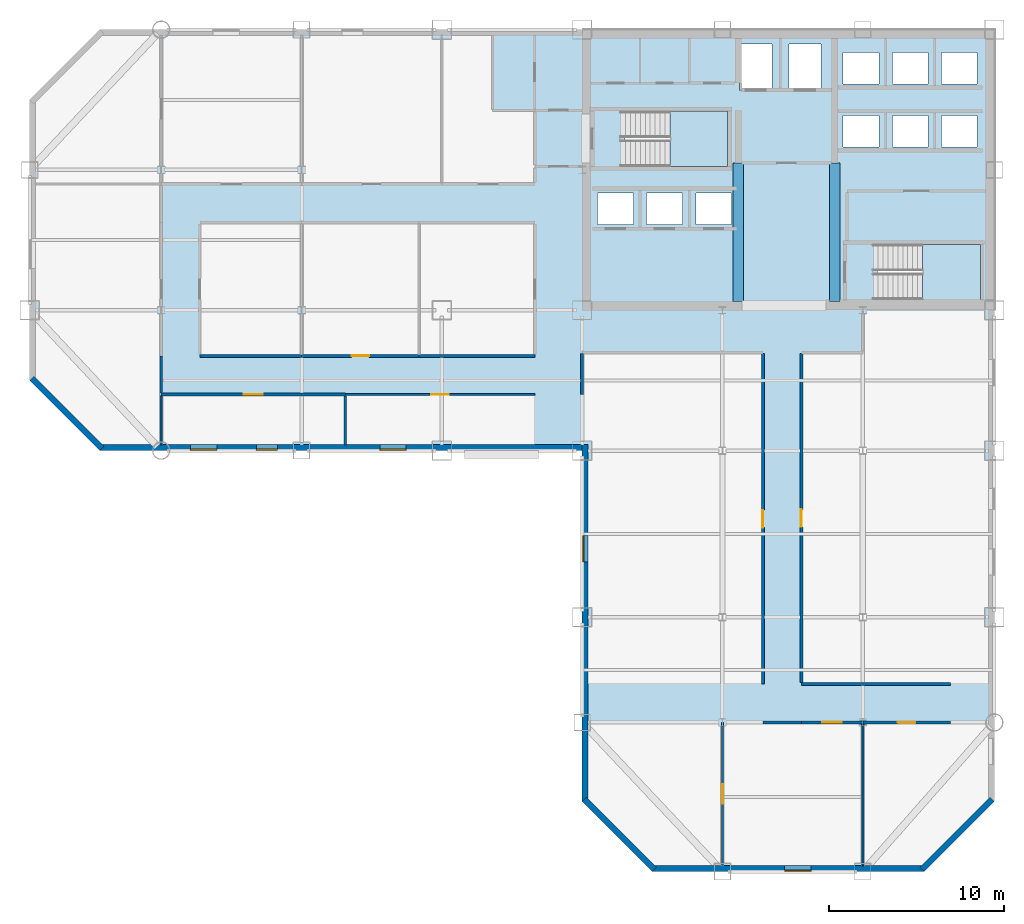
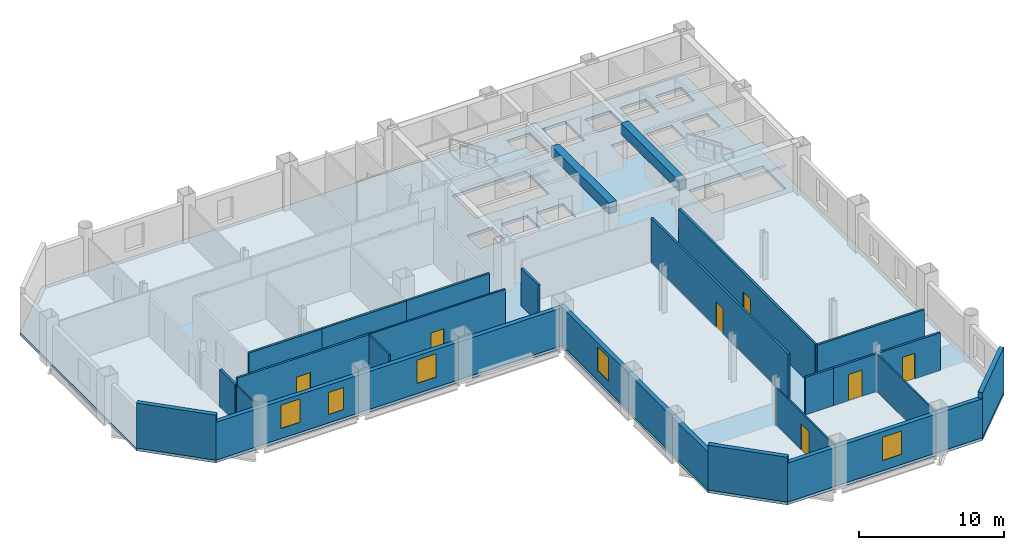
# One storey, part 5 of 10: 23 walls, 8 doors, 5 windows, 3 slabs, 2 beams, 13 openings, 2 elements without a shape of their own.
"""IFC4 building model written with IfcOpenShell, lengths in metres."""

import ifcopenshell
import ifcopenshell.guid

model = None  # the IFC model being written
_history = None  # IfcOwnerHistory: only IFC2X3 demands one
_inside = {}  # id of a spatial element -> (the spatial element, [elements in it])
_under = {}  # id of a project, library or spatial element -> (it, [spatial elements below it])
_declared = {}  # id of a project -> (the project, [libraries it declares])
_typed = {}  # id of a type object -> (the type object, [elements of that type])
_made_of = {}  # id of a material, layer set ... -> (it, [elements and type objects made of it])


def new_model(schema):
    """Start an empty IFC model of exactly this schema.

    Asked for "IFC4X3", IfcOpenShell would pick the latest addendum, in which some entities
    have other attributes; the version numbers below select the first issue.
    IFC2X3 requires an IfcOwnerHistory on every rooted entity: one is made here for all.
    """
    global model, _history
    if schema == "IFC4X3":
        model = ifcopenshell.file(schema_version=(4, 3, 0, 0))
    else:
        model = ifcopenshell.file(schema=schema)
    _inside.clear()
    _under.clear()
    _declared.clear()
    _typed.clear()
    _made_of.clear()
    _history = None
    if model.schema == "IFC2X3":
        org = make("IfcOrganization", Name="unknown")
        user = make(
            "IfcPersonAndOrganization",
            ThePerson=make("IfcPerson", FamilyName="unknown"),
            TheOrganization=org,
        )
        app = make(
            "IfcApplication",
            ApplicationDeveloper=org,
            Version="unknown",
            ApplicationFullName="unknown",
            ApplicationIdentifier="unknown",
        )
        _history = make(
            "IfcOwnerHistory",
            OwningUser=user,
            OwningApplication=app,
            ChangeAction="ADDED",
            CreationDate=0,
        )
    return model


def make(cls, **values):
    """One entity of the class cls with the attributes given. An attribute that is None is left unset."""
    return model.create_entity(
        cls, **{name: value for name, value in values.items() if value is not None}
    )


def rooted(cls, **values):
    """An entity with a GlobalId (a new one), such as an element, a storey or a relation."""
    return make(cls, GlobalId=ifcopenshell.guid.new(), OwnerHistory=_history, **values)


def si_unit(unit_type, name, prefix=None):
    """IfcSIUnit, for example si_unit("LENGTHUNIT", "METRE", prefix="MILLI")."""
    return make("IfcSIUnit", UnitType=unit_type, Prefix=prefix, Name=name)


def assignment(units):
    """IfcUnitAssignment: the units of a project."""
    return None if units is None else make("IfcUnitAssignment", Units=units)


def point(xyz):
    """IfcCartesianPoint."""
    return None if xyz is None else make("IfcCartesianPoint", Coordinates=xyz)


def direction(xyz):
    """IfcDirection."""
    return None if xyz is None else make("IfcDirection", DirectionRatios=xyz)


def frame(location, z_axis=None, x_axis=None):
    """IfcAxis2Placement3D, a coordinate frame: its origin and axes. An axis left out is left unset."""
    return make(
        "IfcAxis2Placement3D",
        Location=point(location),
        Axis=direction(z_axis),
        RefDirection=direction(x_axis),
    )


def frame_2d(location, x_axis=None):
    """IfcAxis2Placement2D, a coordinate frame in the plane: its origin and x axis."""
    return make(
        "IfcAxis2Placement2D", Location=point(location), RefDirection=direction(x_axis)
    )


def origin():
    """The frame at (0, 0, 0) with its axes left unset."""
    return frame((0.0, 0.0, 0.0))


def origin_2d():
    """The frame at (0, 0) in the plane with its x axis left unset."""
    return frame_2d((0.0, 0.0))


def place(relative_to, where):
    """IfcLocalPlacement: puts the frame where relative to a parent placement (None: the world)."""
    return make(
        "IfcLocalPlacement", PlacementRelTo=relative_to, RelativePlacement=where
    )


def context(
    kind, dimensions, precision=None, world=None, true_north=None, identifier=None
):
    """IfcGeometricRepresentationContext, for example the 3D "Model" context."""
    return make(
        "IfcGeometricRepresentationContext",
        ContextIdentifier=identifier,
        ContextType=kind,
        CoordinateSpaceDimension=dimensions,
        Precision=precision,
        WorldCoordinateSystem=world,
        TrueNorth=true_north,
    )


def subcontext(parent, identifier, kind, view, scale=None):
    """IfcGeometricRepresentationSubContext, for example "Body" below "Model"."""
    return make(
        "IfcGeometricRepresentationSubContext",
        ContextIdentifier=identifier,
        ContextType=kind,
        ParentContext=parent,
        TargetScale=scale,
        TargetView=view,
    )


def project(units=None, contexts=None):
    """IfcProject with its units and contexts."""
    return rooted(
        "IfcProject",
        Name="project",
        RepresentationContexts=contexts,
        UnitsInContext=assignment(units),
    )


def spatial(cls, under=None, at=None, **own):
    """A site, building, storey or space (cls), placed at a placement, below another one or the project."""
    s = rooted(cls, ObjectPlacement=at, **own)
    if under is not None:
        _under.setdefault(under.id(), (under, []))[1].append(s)
    return s


def polyline(points):
    """IfcPolyline through the points."""
    return make("IfcPolyline", Points=[point(p) for p in points])


def profile(cls, at=None, kind="AREA", **sizes):
    """A parametric profile (cls). Its sizes go by their IFC names, for example OverallWidth=200.0."""
    return make(cls, ProfileType=kind, Position=at, **sizes)


def rectangle(**sizes):
    """IfcRectangleProfileDef."""
    return profile("IfcRectangleProfileDef", **sizes)


def outline(outer, holes=None, kind="AREA"):
    """IfcArbitraryClosedProfileDef: a profile drawn as a closed curve; with holes, ...WithVoids."""
    if holes is None:
        return make("IfcArbitraryClosedProfileDef", ProfileType=kind, OuterCurve=outer)
    return make(
        "IfcArbitraryProfileDefWithVoids",
        ProfileType=kind,
        OuterCurve=outer,
        InnerCurves=holes,
    )


def extrude(swept, where, along, depth):
    """IfcExtrudedAreaSolid: the profile swept, set in the frame where, extruded along a direction by depth."""
    return make(
        "IfcExtrudedAreaSolid",
        SweptArea=swept,
        Position=where,
        ExtrudedDirection=direction(along),
        Depth=depth,
    )


def shape(context_of_items, identifier, shape_type, items):
    """IfcShapeRepresentation: the items that make up one representation, for example the "Body"."""
    return make(
        "IfcShapeRepresentation",
        ContextOfItems=context_of_items,
        RepresentationIdentifier=identifier,
        RepresentationType=shape_type,
        Items=items,
    )


def material(Name=None, Category=None):
    """IfcMaterial."""
    return make("IfcMaterial", Name=Name, Category=Category)


def layer(
    of_material, thickness, ventilated=None, Name=None, Category=None, Priority=None
):
    """IfcMaterialLayer: one layer of a wall or slab, of a material (None: an air gap)."""
    return make(
        "IfcMaterialLayer",
        Material=of_material,
        LayerThickness=thickness,
        IsVentilated=ventilated,
        Name=Name,
        Category=Category,
        Priority=Priority,
    )


def layer_set(layers, Name=None):
    """IfcMaterialLayerSet."""
    return make("IfcMaterialLayerSet", MaterialLayers=layers, LayerSetName=Name)


def material_profile(
    of_material, cross_section, Name=None, Category=None, Priority=None
):
    """IfcMaterialProfile: a cross section and its material."""
    return make(
        "IfcMaterialProfile",
        Name=Name,
        Material=of_material,
        Profile=cross_section,
        Priority=Priority,
        Category=Category,
    )


def profile_set(profiles, Name=None, composite=None):
    """IfcMaterialProfileSet."""
    return make(
        "IfcMaterialProfileSet",
        Name=Name,
        MaterialProfiles=profiles,
        CompositeProfile=composite,
    )


def made_of(thing, what):
    """Note that an element or type object is made of a material, layer set ...; save() writes the relation."""
    if what is not None:
        _made_of.setdefault(what.id(), (what, []))[1].append(thing)
    return thing


def type_object(cls, material=None, **own):
    """A type object (cls), such as IfcWallType, which elements share."""
    return made_of(rooted(cls, **own), material)


def element(
    cls,
    number,
    at=None,
    inside=None,
    cuts=None,
    type_object=None,
    material=None,
    context=None,
    identifier="Body",
    shape_type=None,
    held_by="IfcProductDefinitionShape",
    body=None,
    shapes=None,
    **own,
):
    """One element of the class cls, such as IfcWall. Its Tag is "e" and its number.

    at: its placement. inside: the storey or other place that contains it. cuts: it is an
    opening in that element (IfcRelVoidsElement). A single representation is given by context,
    identifier, shape_type and body (its items); several are given by shapes. held_by: the class
    of the entity that holds the representations. save() writes the other relations.
    """
    e = rooted(cls, Tag="e%d" % number, ObjectPlacement=at, **own)
    if body is not None:
        shapes = [shape(context, identifier, shape_type, body)]
    if shapes is not None:
        e.Representation = make(held_by, Representations=shapes)
    if inside is not None:
        _inside.setdefault(inside.id(), (inside, []))[1].append(e)
    if cuts is not None:
        rooted(
            "IfcRelVoidsElement", RelatingBuildingElement=cuts, RelatedOpeningElement=e
        )
    if type_object is not None:
        _typed.setdefault(type_object.id(), (type_object, []))[1].append(e)
    return made_of(e, material)


def fill(opening, filler):
    """IfcRelFillsElement: the door or window that sits in an opening."""
    return rooted(
        "IfcRelFillsElement",
        RelatingOpeningElement=opening,
        RelatedBuildingElement=filler,
    )


def aggregate(whole, parts):
    """IfcRelAggregates: a whole, such as a stair, and the parts it consists of."""
    return rooted("IfcRelAggregates", RelatingObject=whole, RelatedObjects=parts)


def save(model, path):
    """Write the relations noted so far, then the file.

    IfcRelAggregates (storeys below a building ...), IfcRelContainedInSpatialStructure (elements
    in a storey), IfcRelDefinesByType, IfcRelAssociatesMaterial and IfcRelDeclares: one each for
    every whole, place, type object, material and project.
    """
    for whole, parts in _under.values():
        aggregate(whole, parts)
    for where, things in _inside.values():
        rooted(
            "IfcRelContainedInSpatialStructure",
            RelatedElements=things,
            RelatingStructure=where,
        )
    for kind, things in _typed.values():
        rooted("IfcRelDefinesByType", RelatedObjects=things, RelatingType=kind)
    for what, things in _made_of.values():
        rooted("IfcRelAssociatesMaterial", RelatedObjects=things, RelatingMaterial=what)
    for by, libraries in _declared.values():
        rooted("IfcRelDeclares", RelatingContext=by, RelatedDefinitions=libraries)
    model.write(path)


model = new_model("IFC4")

# Units and contexts
model_context = context("Model", 3, precision=1e-05, world=origin(), true_north=direction((0.0, 1.0)))
body_context = subcontext(model_context, "Body", "Model", "MODEL_VIEW")
ifc_project = project(units=[si_unit("LENGTHUNIT", "METRE"), si_unit("AREAUNIT", "SQUARE_METRE"), si_unit("VOLUMEUNIT", "CUBIC_METRE"), si_unit("PLANEANGLEUNIT", "RADIAN"), si_unit("MASSUNIT", "GRAM", prefix="KILO")], contexts=[model_context])

# Site, building, storey
site_placement = place(None, origin())
site = spatial("IfcSite", under=ifc_project, at=site_placement, CompositionType="ELEMENT")
building_placement = place(site_placement, origin())
building = spatial("IfcBuilding", under=site, at=building_placement, Name="Qianrong Seaharbour Tower", CompositionType="ELEMENT")
storey_placement = place(building_placement, frame((0.0, 0.0, 139.0)))
storey = spatial("IfcBuildingStorey", under=building, at=storey_placement, Name="L33", CompositionType="ELEMENT", Elevation=139.0)

# Beams
ifc_material_1 = material(Name="Concrete C70/85", Category="concrete")
ifc_material_profile = material_profile(ifc_material_1, rectangle(XDim=0.60009765625, YDim=0.89990234375, at=origin_2d()), Name="RC600x900")
ifc_profile_set = profile_set([ifc_material_profile], Name="Concrete C70/85")
beam_type = type_object("IfcBeamType", Name="BM-LINTEL-900", PredefinedType="LINTEL", material=ifc_profile_set)
for number, where, z_axis, x_axis, name in (
    (1, (49.39990234375, 36.5, 3.31494140625), (0.0, 1.0, 0.0), (-1.0, 0.0, 0.0), "L33 Internal Core Coupling Beam IW1"),
    (2, (54.89990234375, 36.5, 3.31494140625), (0.0, 1.0, 0.0), (-1.0, 0.0, 0.0), "L33 Internal Core Coupling Beam IW2"),
):
    element("IfcBeam", number, at=place(storey_placement, frame(where, z_axis=z_axis, x_axis=x_axis)), inside=storey, type_object=beam_type, Name=name, PredefinedType="LINTEL", context=body_context, shape_type="SweptSolid", body=[
        extrude(rectangle(XDim=0.60009765625, YDim=0.89990234375, at=origin_2d()), origin(), (0.0, 0.0, 1.0), 7.89990234375),
    ])

# Stair, slab
ifc_material_2 = material(Name="Concrete C50/60", Category="concrete")
stair_type = type_object("IfcStairType", Name="STAIR-DOGLEG-1500-R22", PredefinedType="HALF_TURN_STAIR", material=ifc_material_2)
stair_1_placement = place(storey_placement, origin())
stair_1 = element("IfcStair", 3, at=stair_1_placement, inside=storey, type_object=stair_type, Name="L33 Protected Escape Stair ST-1", PredefinedType="HALF_TURN_STAIR")
ifc_layer_1 = layer(ifc_material_2, 0.199951171875)
ifc_layer_set_1 = layer_set([ifc_layer_1], Name="Concrete C50/60")
slab_type_1 = type_object("IfcSlabType", Name="SLAB-STAIR-LANDING-200", PredefinedType="LANDING", material=ifc_layer_set_1)
slab_1_placement = place(storey_placement, frame((0.0, 0.0, 1.800048828125)))
slab_1 = element("IfcSlab", 4, at=slab_1_placement, type_object=slab_type_1, Name="ST-1 landing 1", PredefinedType="LANDING", context=body_context, shape_type="SweptSolid", body=[
    extrude(outline(polyline([(45.5, 44.199951171875), (48.800048828125, 44.199951171875), (48.800048828125, 47.35009765625), (45.5, 47.35009765625), (45.5, 44.199951171875)])), origin(), (0.0, 0.0, 1.0), 0.199951171875),
])
aggregate(stair_1, [slab_1])

stair_2_placement = place(storey_placement, origin())
stair_2 = element("IfcStair", 5, at=stair_2_placement, inside=storey, type_object=stair_type, Name="L33 Protected Escape Stair ST-2", PredefinedType="HALF_TURN_STAIR")
slab_2_placement = place(storey_placement, frame((0.0, 0.0, 1.800048828125)))
slab_2 = element("IfcSlab", 6, at=slab_2_placement, type_object=slab_type_1, Name="ST-2 landing 1", PredefinedType="LANDING", context=body_context, shape_type="SweptSolid", body=[
    extrude(outline(polyline([(59.89990234375, 36.60009765625), (63.199951171875, 36.60009765625), (63.199951171875, 39.75), (59.89990234375, 39.75), (59.89990234375, 36.60009765625)])), origin(), (0.0, 0.0, 1.0), 0.199951171875),
])
aggregate(stair_2, [slab_2])

# Slab
ifc_layer_2 = layer(ifc_material_2, 0.235107421875)
ifc_layer_set_2 = layer_set([ifc_layer_2], Name="Concrete C50/60")
slab_type_2 = type_object("IfcSlabType", Name="SLAB-Z2-235", PredefinedType="FLOOR", material=ifc_layer_set_2)
slab_3_placement = place(storey_placement, frame((0.0, 0.0, -0.235107421875)))
element("IfcSlab", 7, at=slab_3_placement, inside=storey, type_object=slab_type_2, Name="L33 Structural Floor Slab", PredefinedType="FLOOR", context=body_context, shape_type="SweptSolid", body=[
    extrude(outline(polyline([(44.5, 4.0), (60.0, 4.0), (64.0, 8.0), (64.0, 52.0), (13.0, 52.0), (9.0, 48.0), (9.0, 32.0), (13.0, 28.0), (40.5, 28.0), (40.5, 8.0), (44.5, 4.0)]), holes=[polyline([(42.93994140625, 44.199951171875), (42.93994140625, 47.35009765625), (48.800048828125, 47.35009765625), (48.800048828125, 44.199951171875), (42.93994140625, 44.199951171875)]), polyline([(57.340087890625, 36.60009765625), (57.340087890625, 39.75), (63.199951171875, 39.75), (63.199951171875, 36.60009765625), (57.340087890625, 36.60009765625)]), polyline([(49.47998046875, 48.530029296875), (49.47998046875, 51.169921875), (51.320068359375, 51.169921875), (51.320068359375, 48.530029296875), (49.47998046875, 48.530029296875)]), polyline([(52.280029296875, 48.530029296875), (52.280029296875, 51.169921875), (54.1201171875, 51.169921875), (54.1201171875, 48.530029296875), (52.280029296875, 48.530029296875)]), polyline([(41.3798828125, 40.89990234375), (41.3798828125, 42.699951171875), (43.419921875, 42.699951171875), (43.419921875, 40.89990234375), (41.3798828125, 40.89990234375)]), polyline([(44.179931640625, 40.89990234375), (44.179931640625, 42.699951171875), (46.219970703125, 42.699951171875), (46.219970703125, 40.89990234375), (44.179931640625, 40.89990234375)]), polyline([(46.97998046875, 40.89990234375), (46.97998046875, 42.699951171875), (49.02001953125, 42.699951171875), (49.02001953125, 40.89990234375), (46.97998046875, 40.89990234375)]), polyline([(55.3798828125, 45.300048828125), (55.3798828125, 47.10009765625), (57.419921875, 47.10009765625), (57.419921875, 45.300048828125), (55.3798828125, 45.300048828125)]), polyline([(58.179931640625, 45.300048828125), (58.179931640625, 47.10009765625), (60.219970703125, 47.10009765625), (60.219970703125, 45.300048828125), (58.179931640625, 45.300048828125)]), polyline([(60.97998046875, 45.300048828125), (60.97998046875, 47.10009765625), (63.02001953125, 47.10009765625), (63.02001953125, 45.300048828125), (60.97998046875, 45.300048828125)]), polyline([(55.3798828125, 48.89990234375), (55.3798828125, 50.699951171875), (57.419921875, 50.699951171875), (57.419921875, 48.89990234375), (55.3798828125, 48.89990234375)]), polyline([(58.179931640625, 48.89990234375), (58.179931640625, 50.699951171875), (60.219970703125, 50.699951171875), (60.219970703125, 48.89990234375), (58.179931640625, 48.89990234375)]), polyline([(60.97998046875, 48.89990234375), (60.97998046875, 50.699951171875), (63.02001953125, 50.699951171875), (63.02001953125, 48.89990234375), (60.97998046875, 48.89990234375)])]), origin(), (0.0, 0.0, 1.0), 0.235107421875),
])

# Wall
ifc_material_3 = material(Name="Fire-rated acoustic gypsum board partition")
ifc_layer_3 = layer(ifc_material_3, 0.1650390625)
ifc_layer_set_3 = layer_set([ifc_layer_3], Name="Fire-rated acoustic gypsum board partition")
wall_type_1 = type_object("IfcWallType", Name="WALL-CORR-PART-165", PredefinedType="PARTITIONING", material=ifc_layer_set_3)
wall_1_placement = place(storey_placement, frame((18.699951171875, 33.39990234375, 0.0), z_axis=(0.0, 0.0, 1.0), x_axis=(1.0, 0.0, 0.0)))
element("IfcWall", 8, at=wall_1_placement, inside=storey, type_object=wall_type_1, Name="L33 Interior Partition Wall 015", PredefinedType="PARTITIONING", context=body_context, shape_type="SweptSolid", body=[
    extrude(rectangle(XDim=5.800048828125, YDim=0.1650390625, at=frame_2d((2.89990234375, 0.0))), origin(), (0.0, 0.0, 1.0), 3.764892578125),
])

# Wall, opening, door
wall_2_placement = place(storey_placement, frame((24.5, 33.39990234375, 0.0), z_axis=(0.0, 0.0, 1.0), x_axis=(1.0, 0.0, 0.0)))
wall_2 = element("IfcWall", 9, at=wall_2_placement, inside=storey, type_object=wall_type_1, Name="L33 Interior Partition Wall 016", PredefinedType="PARTITIONING", context=body_context, shape_type="SweptSolid", body=[
    extrude(rectangle(XDim=6.699951171875, YDim=0.1650390625, at=frame_2d((3.35009765625, 0.0))), origin(), (0.0, 0.0, 1.0), 3.764892578125),
])
opening_1_placement = place(wall_2_placement, frame((2.85009765625, 0.0, 0.0)))
opening_1 = element("IfcOpeningElement", 10, at=opening_1_placement, cuts=wall_2, Name="Opening DO-01", PredefinedType="OPENING", context=body_context, shape_type="SweptSolid", body=[
    extrude(rectangle(XDim=1.0, YDim=2.14990234375, at=frame_2d((0.5, 1.074951171875))), frame((0.0, 0.092529296875, 0.0), z_axis=(0.0, -1.0, 0.0), x_axis=(1.0, 0.0, 0.0)), (0.0, 0.0, 1.0), 0.18505859375),
])
ifc_material_4 = material(Name="Acoustic timber and galvanized steel fire door assembly", Category="steel")
door_type_1 = type_object("IfcDoorType", Name="DOOR-OFFICE-1000x2150", OperationType="NOTDEFINED", PredefinedType="DOOR", material=ifc_material_4)
door_1_placement = place(opening_1_placement, origin())
door_1 = element("IfcDoor", 11, at=door_1_placement, inside=storey, type_object=door_type_1, Name="L33 Project Library 2 Door", OperationType="SINGLE_SWING_RIGHT", OverallHeight=2.14990234375, OverallWidth=1.0, PredefinedType="DOOR", context=body_context, shape_type="SweptSolid", body=[
    extrude(rectangle(XDim=1.0, YDim=2.14990234375, at=frame_2d((0.5, 1.074951171875))), frame((0.0, 0.02490234375, 0.0), z_axis=(0.0, -1.0, 0.0), x_axis=(1.0, 0.0, 0.0)), (0.0, 0.0, 1.0), 0.050048828125),
])
fill(opening_1, door_1)

# Walls
wall_3_placement = place(storey_placement, frame((31.199951171875, 33.39990234375, 0.0), z_axis=(0.0, 0.0, 1.0), x_axis=(1.0, 0.0, 0.0)))
element("IfcWall", 12, at=wall_3_placement, inside=storey, type_object=wall_type_1, Name="L33 Interior Partition Wall 017", PredefinedType="PARTITIONING", context=body_context, shape_type="SweptSolid", body=[
    extrude(rectangle(XDim=6.60009765625, YDim=0.1650390625, at=frame_2d((3.300048828125, 0.0))), origin(), (0.0, 0.0, 1.0), 3.764892578125),
])
wall_4_placement = place(storey_placement, frame((16.5, 31.2744140625, 0.0), z_axis=(0.0, 0.0, 1.0), x_axis=(0.0, 1.0, 0.0)))
element("IfcWall", 13, at=wall_4_placement, inside=storey, type_object=wall_type_1, Name="L33 Interior Partition Wall 018", PredefinedType="PARTITIONING", context=body_context, shape_type="SweptSolid", body=[
    extrude(rectangle(XDim=2.12548828125, YDim=0.1650390625, at=frame_2d((1.062744140625, 0.0))), origin(), (0.0, 0.0, 1.0), 3.156982421875),
])

# Wall, opening, door
wall_5_placement = place(storey_placement, frame((27.0, 31.199951171875, 0.0), z_axis=(0.0, 0.0, 1.0), x_axis=(-1.0, 0.0, 0.0)))
wall_5 = element("IfcWall", 14, at=wall_5_placement, inside=storey, type_object=wall_type_1, Name="L33 Interior Partition Wall 019", PredefinedType="PARTITIONING", context=body_context, shape_type="SweptSolid", body=[
    extrude(rectangle(XDim=10.5, YDim=0.1650390625, at=frame_2d((5.25, 0.0))), origin(), (0.0, 0.0, 1.0), 3.764892578125),
])
opening_2_placement = place(wall_5_placement, frame((4.699951171875, 0.0, 0.0)))
opening_2 = element("IfcOpeningElement", 15, at=opening_2_placement, cuts=wall_5, Name="Opening DM-01", PredefinedType="OPENING", context=body_context, shape_type="SweptSolid", body=[
    extrude(rectangle(XDim=1.10009765625, YDim=2.199951171875, at=frame_2d((0.550048828125, 1.10009765625))), frame((0.0, 0.092529296875, 0.0), z_axis=(0.0, -1.0, 0.0), x_axis=(1.0, 0.0, 0.0)), (0.0, 0.0, 1.0), 0.18505859375),
])
door_type_2 = type_object("IfcDoorType", Name="DOOR-MEET-1100x2200", OperationType="NOTDEFINED", PredefinedType="DOOR", material=ifc_material_4)
door_2_placement = place(opening_2_placement, origin())
door_2 = element("IfcDoor", 16, at=door_2_placement, inside=storey, type_object=door_type_2, Name="L33 Meeting Room 1 Door", OperationType="SINGLE_SWING_LEFT", OverallHeight=2.199951171875, OverallWidth=1.10009765625, PredefinedType="DOOR", context=body_context, shape_type="SweptSolid", body=[
    extrude(rectangle(XDim=1.10009765625, YDim=2.199951171875, at=frame_2d((0.550048828125, 1.10009765625))), frame((0.0, 0.02490234375, 0.0), z_axis=(0.0, -1.0, 0.0), x_axis=(1.0, 0.0, 0.0)), (0.0, 0.0, 1.0), 0.050048828125),
])
fill(opening_2, door_2)

# Wall
wall_6_placement = place(storey_placement, frame((40.5, 33.525390625, 0.0), z_axis=(0.0, 0.0, 1.0), x_axis=(0.0, -1.0, 0.0)))
element("IfcWall", 17, at=wall_6_placement, inside=storey, type_object=wall_type_1, Name="L33 Interior Partition Wall 030", PredefinedType="PARTITIONING", context=body_context, shape_type="SweptSolid", body=[
    extrude(rectangle(XDim=2.325439453125, YDim=0.1650390625, at=frame_2d((1.16259765625, 0.0))), origin(), (0.0, 0.0, 1.0), 3.156982421875),
])

# Wall, opening, door
wall_7_placement = place(storey_placement, frame((53.0, 33.525390625, 0.0), z_axis=(0.0, 0.0, 1.0), x_axis=(0.0, -1.0, 0.0)))
wall_7 = element("IfcWall", 18, at=wall_7_placement, inside=storey, type_object=wall_type_1, Name="L33 Interior Partition Wall 036", PredefinedType="PARTITIONING", context=body_context, shape_type="SweptSolid", body=[
    extrude(rectangle(XDim=18.7509765625, YDim=0.1650390625, at=frame_2d((9.37548828125, 0.0))), origin(), (0.0, 0.0, 1.0), 3.764892578125),
])
opening_3_placement = place(wall_7_placement, frame((8.87548828125, 0.0, 0.0)))
opening_3 = element("IfcOpeningElement", 19, at=opening_3_placement, cuts=wall_7, Name="Opening DO-01", PredefinedType="OPENING", context=body_context, shape_type="SweptSolid", body=[
    extrude(rectangle(XDim=1.0, YDim=2.14990234375, at=frame_2d((0.5, 1.074951171875))), frame((0.0, 0.092529296875, 0.0), z_axis=(0.0, -1.0, 0.0), x_axis=(1.0, 0.0, 0.0)), (0.0, 0.0, 1.0), 0.18505859375),
])
door_3_placement = place(opening_3_placement, origin())
door_3 = element("IfcDoor", 20, at=door_3_placement, inside=storey, type_object=door_type_1, Name="L33 South Wing Open-Plan Office Door", OperationType="SINGLE_SWING_LEFT", OverallHeight=2.14990234375, OverallWidth=1.0, PredefinedType="DOOR", context=body_context, shape_type="SweptSolid", body=[
    extrude(rectangle(XDim=1.0, YDim=2.14990234375, at=frame_2d((0.5, 1.074951171875))), frame((0.0, 0.02490234375, 0.0), z_axis=(0.0, -1.0, 0.0), x_axis=(1.0, 0.0, 0.0)), (0.0, 0.0, 1.0), 0.050048828125),
])
fill(opening_3, door_3)

wall_8_placement = place(storey_placement, frame((50.800048828125, 14.699951171875, 0.0), z_axis=(0.0, 0.0, 1.0), x_axis=(0.0, 1.0, 0.0)))
wall_8 = element("IfcWall", 21, at=wall_8_placement, inside=storey, type_object=wall_type_1, Name="L33 Interior Partition Wall 037", PredefinedType="PARTITIONING", context=body_context, shape_type="SweptSolid", body=[
    extrude(rectangle(XDim=18.825439453125, YDim=0.1650390625, at=frame_2d((9.41259765625, 0.0))), origin(), (0.0, 0.0, 1.0), 3.764892578125),
])
opening_4_placement = place(wall_8_placement, frame((8.912841796875, 0.0, 0.0)))
opening_4 = element("IfcOpeningElement", 22, at=opening_4_placement, cuts=wall_8, Name="Opening DO-01", PredefinedType="OPENING", context=body_context, shape_type="SweptSolid", body=[
    extrude(rectangle(XDim=1.0, YDim=2.14990234375, at=frame_2d((0.5, 1.074951171875))), frame((0.0, 0.092529296875, 0.0), z_axis=(0.0, -1.0, 0.0), x_axis=(1.0, 0.0, 0.0)), (0.0, 0.0, 1.0), 0.18505859375),
])
door_4_placement = place(opening_4_placement, origin())
door_4 = element("IfcDoor", 23, at=door_4_placement, inside=storey, type_object=door_type_1, Name="L33 West Spine Open-Plan Office Door", OperationType="SINGLE_SWING_RIGHT", OverallHeight=2.14990234375, OverallWidth=1.0, PredefinedType="DOOR", context=body_context, shape_type="SweptSolid", body=[
    extrude(rectangle(XDim=1.0, YDim=2.14990234375, at=frame_2d((0.5, 1.074951171875))), frame((0.0, 0.02490234375, 0.0), z_axis=(0.0, -1.0, 0.0), x_axis=(1.0, 0.0, 0.0)), (0.0, 0.0, 1.0), 0.050048828125),
])
fill(opening_4, door_4)

# Walls
wall_9_placement = place(storey_placement, frame((53.0, 12.5, 0.0), z_axis=(0.0, 0.0, 1.0), x_axis=(-1.0, 0.0, 0.0)))
element("IfcWall", 24, at=wall_9_placement, inside=storey, type_object=wall_type_1, Name="L33 Interior Partition Wall 038", PredefinedType="PARTITIONING", context=body_context, shape_type="SweptSolid", body=[
    extrude(rectangle(XDim=2.199951171875, YDim=0.1650390625, at=frame_2d((1.10009765625, 0.0))), origin(), (0.0, 0.0, 1.0), 3.156982421875),
])
wall_10_placement = place(storey_placement, frame((53.0, 14.699951171875, 0.0), z_axis=(0.0, 0.0, 1.0), x_axis=(1.0, 0.0, 0.0)))
element("IfcWall", 25, at=wall_10_placement, inside=storey, type_object=wall_type_1, Name="L33 Interior Partition Wall 039", PredefinedType="PARTITIONING", context=body_context, shape_type="SweptSolid", body=[
    extrude(rectangle(XDim=8.5, YDim=0.1650390625, at=frame_2d((4.25, 0.0))), origin(), (0.0, 0.0, 1.0), 3.764892578125),
])

# Wall, opening, door
wall_11_placement = place(storey_placement, frame((56.5, 12.5, 0.0), z_axis=(0.0, 0.0, 1.0), x_axis=(-1.0, 0.0, 0.0)))
wall_11 = element("IfcWall", 26, at=wall_11_placement, inside=storey, type_object=wall_type_1, Name="L33 Interior Partition Wall 040", PredefinedType="PARTITIONING", context=body_context, shape_type="SweptSolid", body=[
    extrude(rectangle(XDim=3.5, YDim=0.1650390625, at=frame_2d((1.75, 0.0))), origin(), (0.0, 0.0, 1.0), 3.156982421875),
])
opening_5_placement = place(wall_11_placement, frame((1.199951171875, 0.0, 0.0)))
opening_5 = element("IfcOpeningElement", 27, at=opening_5_placement, cuts=wall_11, Name="Opening DM-01", PredefinedType="OPENING", context=body_context, shape_type="SweptSolid", body=[
    extrude(rectangle(XDim=1.10009765625, YDim=2.199951171875, at=frame_2d((0.550048828125, 1.10009765625))), frame((0.0, 0.092529296875, 0.0), z_axis=(0.0, -1.0, 0.0), x_axis=(1.0, 0.0, 0.0)), (0.0, 0.0, 1.0), 0.18505859375),
])
door_5_placement = place(opening_5_placement, origin())
door_5 = element("IfcDoor", 28, at=door_5_placement, inside=storey, type_object=door_type_2, Name="L33 Meeting Room 2 Door", OperationType="SINGLE_SWING_RIGHT", OverallHeight=2.199951171875, OverallWidth=1.10009765625, PredefinedType="DOOR", context=body_context, shape_type="SweptSolid", body=[
    extrude(rectangle(XDim=1.10009765625, YDim=2.199951171875, at=frame_2d((0.550048828125, 1.10009765625))), frame((0.0, 0.02490234375, 0.0), z_axis=(0.0, -1.0, 0.0), x_axis=(1.0, 0.0, 0.0)), (0.0, 0.0, 1.0), 0.050048828125),
])
fill(opening_5, door_5)

wall_12_placement = place(storey_placement, frame((61.5, 12.5, 0.0), z_axis=(0.0, 0.0, 1.0), x_axis=(-1.0, 0.0, 0.0)))
wall_12 = element("IfcWall", 29, at=wall_12_placement, inside=storey, type_object=wall_type_1, Name="L33 Interior Partition Wall 041", PredefinedType="PARTITIONING", context=body_context, shape_type="SweptSolid", body=[
    extrude(rectangle(XDim=5.0, YDim=0.1650390625, at=frame_2d((2.5, 0.0))), origin(), (0.0, 0.0, 1.0), 3.156982421875),
])
opening_6_placement = place(wall_12_placement, frame((2.0, 0.0, 0.0)))
opening_6 = element("IfcOpeningElement", 30, at=opening_6_placement, cuts=wall_12, Name="Opening DO-01", PredefinedType="OPENING", context=body_context, shape_type="SweptSolid", body=[
    extrude(rectangle(XDim=1.0, YDim=2.14990234375, at=frame_2d((0.5, 1.074951171875))), frame((0.0, 0.092529296875, 0.0), z_axis=(0.0, -1.0, 0.0), x_axis=(1.0, 0.0, 0.0)), (0.0, 0.0, 1.0), 0.18505859375),
])
door_6_placement = place(opening_6_placement, origin())
door_6 = element("IfcDoor", 31, at=door_6_placement, inside=storey, type_object=door_type_1, Name="L33 Standards Library 3 Door", OperationType="SINGLE_SWING_LEFT", OverallHeight=2.14990234375, OverallWidth=1.0, PredefinedType="DOOR", context=body_context, shape_type="SweptSolid", body=[
    extrude(rectangle(XDim=1.0, YDim=2.14990234375, at=frame_2d((0.5, 1.074951171875))), frame((0.0, 0.02490234375, 0.0), z_axis=(0.0, -1.0, 0.0), x_axis=(1.0, 0.0, 0.0)), (0.0, 0.0, 1.0), 0.050048828125),
])
fill(opening_6, door_6)

# Wall
ifc_material_5 = material(Name="Demountable aluminium-framed acoustic office partition", Category="aluminium")
ifc_layer_4 = layer(ifc_material_5, 0.110107421875)
ifc_layer_set_4 = layer_set([ifc_layer_4], Name="Demountable aluminium-framed acoustic office partition")
wall_type_2 = type_object("IfcWallType", Name="WALL-DEMOUNT-110", PredefinedType="MOVABLE", material=ifc_layer_set_4)
wall_13_placement = place(storey_placement, frame((16.5, 31.12548828125, 0.0), z_axis=(0.0, 0.0, 1.0), x_axis=(0.0, -1.0, 0.0)))
element("IfcWall", 32, at=wall_13_placement, inside=storey, type_object=wall_type_2, Name="L33 Interior Partition Wall 048", PredefinedType="MOVABLE", context=body_context, shape_type="SweptSolid", body=[
    extrude(rectangle(XDim=2.79345703125, YDim=0.110107421875, at=frame_2d((1.396728515625, 0.0))), origin(), (0.0, 0.0, 1.0), 3.156982421875),
])

# Wall, opening, door
wall_14_placement = place(storey_placement, frame((48.5, 12.5, 0.0), z_axis=(0.0, 0.0, 1.0), x_axis=(0.0, -1.0, 0.0)))
wall_14 = element("IfcWall", 33, at=wall_14_placement, inside=storey, type_object=wall_type_2, Name="L33 Interior Partition Wall 050", PredefinedType="MOVABLE", context=body_context, shape_type="SweptSolid", body=[
    extrude(rectangle(XDim=8.16796875, YDim=0.110107421875, at=frame_2d((4.083984375, 0.0))), origin(), (0.0, 0.0, 1.0), 3.156982421875),
])
opening_7_placement = place(wall_14_placement, frame((3.533935546875, 0.0, 0.0)))
opening_7 = element("IfcOpeningElement", 34, at=opening_7_placement, cuts=wall_14, Name="Opening DM-01", PredefinedType="OPENING", context=body_context, shape_type="SweptSolid", body=[
    extrude(rectangle(XDim=1.10009765625, YDim=2.199951171875, at=frame_2d((0.550048828125, 1.10009765625))), frame((0.0, 0.06494140625, 0.0), z_axis=(0.0, -1.0, 0.0), x_axis=(1.0, 0.0, 0.0)), (0.0, 0.0, 1.0), 0.130126953125),
])
door_7_placement = place(opening_7_placement, origin())
door_7 = element("IfcDoor", 35, at=door_7_placement, inside=storey, type_object=door_type_2, Name="L33 Maritime Seminar Room 1 Door", OperationType="SINGLE_SWING_LEFT", OverallHeight=2.199951171875, OverallWidth=1.10009765625, PredefinedType="DOOR", context=body_context, shape_type="SweptSolid", body=[
    extrude(rectangle(XDim=1.10009765625, YDim=2.199951171875, at=frame_2d((0.550048828125, 1.10009765625))), frame((0.0, 0.02490234375, 0.0), z_axis=(0.0, -1.0, 0.0), x_axis=(1.0, 0.0, 0.0)), (0.0, 0.0, 1.0), 0.050048828125),
])
fill(opening_7, door_7)

# Wall
wall_15_placement = place(storey_placement, frame((56.5, 12.425537109375, 0.0), z_axis=(0.0, 0.0, 1.0), x_axis=(0.0, -1.0, 0.0)))
element("IfcWall", 36, at=wall_15_placement, inside=storey, type_object=wall_type_2, Name="L33 Interior Partition Wall 051", PredefinedType="MOVABLE", context=body_context, shape_type="SweptSolid", body=[
    extrude(rectangle(XDim=8.093505859375, YDim=0.110107421875, at=frame_2d((4.046875, 0.0))), origin(), (0.0, 0.0, 1.0), 3.156982421875),
])

# Wall, opening, window
ifc_material_6 = material(Name="Unitised buff brick on Precast concrete C45/55", Category="masonry")
ifc_layer_5 = layer(ifc_material_6, 0.340087890625)
ifc_layer_set_5 = layer_set([ifc_layer_5], Name="Unitised buff brick on Precast concrete C45/55")
wall_type_3 = type_object("IfcWallType", Name="WALL-EXT-BRICK-BUFF-340", PredefinedType="SOLIDWALL", material=ifc_layer_set_5)
wall_16_placement = place(storey_placement, frame((40.669921875, 8.0, 0.0), z_axis=(0.0, 0.0, 1.0), x_axis=(0.0, 1.0, 0.0)))
wall_16 = element("IfcWall", 37, at=wall_16_placement, inside=storey, type_object=wall_type_3, Name="L33 Exterior Masonry Facade Wall REENTRANT_WEST", PredefinedType="SOLIDWALL", context=body_context, shape_type="SweptSolid", body=[
    extrude(rectangle(XDim=20.340087890625, YDim=0.340087890625, at=frame_2d((10.169921875, 0.0))), origin(), (0.0, 0.0, 1.0), 3.1650390625),
])
opening_8_placement = place(wall_16_placement, frame((13.64990234375, 0.0, 0.85009765625)))
opening_8 = element("IfcOpeningElement", 38, at=opening_8_placement, cuts=wall_16, Name="Opening WN-03", PredefinedType="OPENING", context=body_context, shape_type="SweptSolid", body=[
    extrude(rectangle(XDim=1.5, YDim=1.949951171875, at=frame_2d((0.75, 0.97509765625))), frame((0.0, 0.18017578125, 0.0), z_axis=(0.0, -1.0, 0.0), x_axis=(1.0, 0.0, 0.0)), (0.0, 0.0, 1.0), 0.360107421875),
])
ifc_material_7 = material(Name="Insulated low-e double glazing in thermally broken aluminium 6063-T6 frame", Category="aluminium")
window_type_1 = type_object("IfcWindowType", Name="WIN-PUNCH-1500x1950", PartitioningType="DOUBLE_PANEL_VERTICAL", PredefinedType="WINDOW", material=ifc_material_7)
window_1_placement = place(opening_8_placement, origin())
window_1 = element("IfcWindow", 39, at=window_1_placement, inside=storey, type_object=window_type_1, Name="L33 Deep-Set Punched Window 00.04", OverallHeight=1.949951171875, OverallWidth=1.5, PartitioningType="DOUBLE_PANEL_VERTICAL", PredefinedType="WINDOW", context=body_context, shape_type="SweptSolid", body=[
    extrude(rectangle(XDim=1.5, YDim=1.949951171875, at=frame_2d((0.75, 0.97509765625))), frame((0.0, 0.150146484375, 0.0), z_axis=(0.0, -1.0, 0.0), x_axis=(1.0, 0.0, 0.0)), (0.0, 0.0, 1.0), 0.06005859375),
])
fill(opening_8, window_1)

# Wall, openings, windows
wall_17_placement = place(storey_placement, frame((40.52001953125, 28.169921875, 0.0), z_axis=(0.0, 0.0, 1.0), x_axis=(-1.0, 0.0, 0.0)))
wall_17 = element("IfcWall", 40, at=wall_17_placement, inside=storey, type_object=wall_type_3, Name="L33 Exterior Masonry Facade Wall HARBOUR_RIBBON", PredefinedType="SOLIDWALL", context=body_context, shape_type="SweptSolid", body=[
    extrude(rectangle(XDim=27.52001953125, YDim=0.340087890625, at=frame_2d((13.760009765625, 0.0))), origin(), (0.0, 0.0, 1.0), 3.1650390625),
])
opening_9_placement = place(wall_17_placement, frame((10.050048828125, 0.0, 0.85009765625)))
opening_9 = element("IfcOpeningElement", 41, at=opening_9_placement, cuts=wall_17, Name="Opening WN-03", PredefinedType="OPENING", context=body_context, shape_type="SweptSolid", body=[
    extrude(rectangle(XDim=1.5, YDim=1.949951171875, at=frame_2d((0.75, 0.97509765625))), frame((0.0, 0.18017578125, 0.0), z_axis=(0.0, -1.0, 0.0), x_axis=(1.0, 0.0, 0.0)), (0.0, 0.0, 1.0), 0.360107421875),
])
opening_10_placement = place(wall_17_placement, frame((17.39990234375, 0.0, 0.699951171875)))
opening_10 = element("IfcOpeningElement", 42, at=opening_10_placement, cuts=wall_17, Name="Opening WN-01", PredefinedType="OPENING", context=body_context, shape_type="SweptSolid", body=[
    extrude(rectangle(XDim=1.199951171875, YDim=1.85009765625, at=frame_2d((0.60009765625, 0.925048828125))), frame((0.0, 0.18017578125, 0.0), z_axis=(0.0, -1.0, 0.0), x_axis=(1.0, 0.0, 0.0)), (0.0, 0.0, 1.0), 0.360107421875),
])
opening_11_placement = place(wall_17_placement, frame((20.85009765625, 0.0, 0.85009765625)))
opening_11 = element("IfcOpeningElement", 43, at=opening_11_placement, cuts=wall_17, Name="Opening WN-03", PredefinedType="OPENING", context=body_context, shape_type="SweptSolid", body=[
    extrude(rectangle(XDim=1.5, YDim=1.949951171875, at=frame_2d((0.75, 0.97509765625))), frame((0.0, 0.18017578125, 0.0), z_axis=(0.0, -1.0, 0.0), x_axis=(1.0, 0.0, 0.0)), (0.0, 0.0, 1.0), 0.360107421875),
])
window_type_2 = type_object("IfcWindowType", Name="WIN-PUNCH-1200x1850", PartitioningType="DOUBLE_PANEL_VERTICAL", PredefinedType="WINDOW", material=ifc_material_7)
window_2_placement = place(opening_10_placement, origin())
window_2 = element("IfcWindow", 44, at=window_2_placement, inside=storey, type_object=window_type_2, Name="L33 Deep-Set Punched Window 01.05", OverallHeight=1.85009765625, OverallWidth=1.199951171875, PartitioningType="DOUBLE_PANEL_VERTICAL", PredefinedType="WINDOW", context=body_context, shape_type="SweptSolid", body=[
    extrude(rectangle(XDim=1.199951171875, YDim=1.85009765625, at=frame_2d((0.60009765625, 0.925048828125))), frame((0.0, 0.150146484375, 0.0), z_axis=(0.0, -1.0, 0.0), x_axis=(1.0, 0.0, 0.0)), (0.0, 0.0, 1.0), 0.06005859375),
])
fill(opening_10, window_2)
window_3_placement = place(opening_9_placement, origin())
window_3 = element("IfcWindow", 45, at=window_3_placement, inside=storey, type_object=window_type_1, Name="L33 Deep-Set Punched Window 01.03", OverallHeight=1.949951171875, OverallWidth=1.5, PartitioningType="DOUBLE_PANEL_VERTICAL", PredefinedType="WINDOW", context=body_context, shape_type="SweptSolid", body=[
    extrude(rectangle(XDim=1.5, YDim=1.949951171875, at=frame_2d((0.75, 0.97509765625))), frame((0.0, 0.150146484375, 0.0), z_axis=(0.0, -1.0, 0.0), x_axis=(1.0, 0.0, 0.0)), (0.0, 0.0, 1.0), 0.06005859375),
])
fill(opening_9, window_3)
window_4_placement = place(opening_11_placement, origin())
window_4 = element("IfcWindow", 46, at=window_4_placement, inside=storey, type_object=window_type_1, Name="L33 Deep-Set Punched Window 01.06", OverallHeight=1.949951171875, OverallWidth=1.5, PartitioningType="DOUBLE_PANEL_VERTICAL", PredefinedType="WINDOW", context=body_context, shape_type="SweptSolid", body=[
    extrude(rectangle(XDim=1.5, YDim=1.949951171875, at=frame_2d((0.75, 0.97509765625))), frame((0.0, 0.150146484375, 0.0), z_axis=(0.0, -1.0, 0.0), x_axis=(1.0, 0.0, 0.0)), (0.0, 0.0, 1.0), 0.06005859375),
])
fill(opening_11, window_4)

# Walls
for number, where, z_axis, x_axis, name in (
    (47, (13.1201171875, 28.1201171875, 0.0), (0.0, 0.0, 1.0), (-0.707106781187, 0.707106781187, 0.0), "L33 Exterior Masonry Facade Wall E02"),
    (48, (63.8798828125, 8.1201171875, 0.0), (0.0, 0.0, 1.0), (-0.707106781187, -0.707106781187, 0.0), "L33 Exterior Masonry Facade Wall E07"),
):
    element("IfcWall", number, at=place(storey_placement, frame(where, z_axis=z_axis, x_axis=x_axis)), inside=storey, type_object=wall_type_3, Name=name, PredefinedType="SOLIDWALL", context=body_context, shape_type="SweptSolid", body=[
        extrude(rectangle(XDim=5.65673828125, YDim=0.340087890625, at=frame_2d((2.828369140625, 0.0))), origin(), (0.0, 0.0, 1.0), 3.764892578125),
    ])

# Wall, opening, window
wall_18_placement = place(storey_placement, frame((60.0, 4.169921875, 0.0), z_axis=(0.0, 0.0, 1.0), x_axis=(-1.0, 0.0, 0.0)))
wall_18 = element("IfcWall", 49, at=wall_18_placement, inside=storey, type_object=wall_type_3, Name="L33 Exterior Masonry Facade Wall SOUTH_TIP", PredefinedType="SOLIDWALL", context=body_context, shape_type="SweptSolid", body=[
    extrude(rectangle(XDim=15.5, YDim=0.340087890625, at=frame_2d((7.75, 0.0))), origin(), (0.0, 0.0, 1.0), 3.264892578125),
])
opening_12_placement = place(wall_18_placement, frame((6.449951171875, 0.0, 0.85009765625)))
opening_12 = element("IfcOpeningElement", 50, at=opening_12_placement, cuts=wall_18, Name="Opening WN-03", PredefinedType="OPENING", context=body_context, shape_type="SweptSolid", body=[
    extrude(rectangle(XDim=1.5, YDim=1.949951171875, at=frame_2d((0.75, 0.97509765625))), frame((0.0, 0.18017578125, 0.0), z_axis=(0.0, -1.0, 0.0), x_axis=(1.0, 0.0, 0.0)), (0.0, 0.0, 1.0), 0.360107421875),
])
window_5_placement = place(opening_12_placement, origin())
window_5 = element("IfcWindow", 51, at=window_5_placement, inside=storey, type_object=window_type_1, Name="L33 Deep-Set Punched Window 08.02", OverallHeight=1.949951171875, OverallWidth=1.5, PartitioningType="DOUBLE_PANEL_VERTICAL", PredefinedType="WINDOW", context=body_context, shape_type="SweptSolid", body=[
    extrude(rectangle(XDim=1.5, YDim=1.949951171875, at=frame_2d((0.75, 0.97509765625))), frame((0.0, 0.150146484375, 0.0), z_axis=(0.0, -1.0, 0.0), x_axis=(1.0, 0.0, 0.0)), (0.0, 0.0, 1.0), 0.06005859375),
])
fill(opening_12, window_5)

# Wall
wall_19_placement = place(storey_placement, frame((44.6201171875, 4.1201171875, 0.0), z_axis=(0.0, 0.0, 1.0), x_axis=(-0.707106781187, 0.707106781187, 0.0)))
element("IfcWall", 52, at=wall_19_placement, inside=storey, type_object=wall_type_3, Name="L33 Exterior Masonry Facade Wall E09", PredefinedType="SOLIDWALL", context=body_context, shape_type="SweptSolid", body=[
    extrude(rectangle(XDim=5.65673828125, YDim=0.340087890625, at=frame_2d((2.828369140625, 0.0))), origin(), (0.0, 0.0, 1.0), 3.764892578125),
])

# Wall, opening, door
ifc_material_8 = material(Name="Water-resistant cement board sanitary partition")
ifc_layer_6 = layer(ifc_material_8, 0.1298828125)
ifc_layer_set_6 = layer_set([ifc_layer_6], Name="Water-resistant cement board sanitary partition")
wall_type_4 = type_object("IfcWallType", Name="WALL-WET-PART-130", PredefinedType="PARTITIONING", material=ifc_layer_set_6)
wall_20_placement = place(storey_placement, frame((37.800048828125, 31.199951171875, 0.0), z_axis=(0.0, 0.0, 1.0), x_axis=(-1.0, 0.0, 0.0)))
wall_20 = element("IfcWall", 53, at=wall_20_placement, inside=storey, type_object=wall_type_4, Name="L33 Interior Partition Wall 020", PredefinedType="PARTITIONING", context=body_context, shape_type="SweptSolid", body=[
    extrude(rectangle(XDim=10.800048828125, YDim=0.1298828125, at=frame_2d((5.39990234375, 0.0))), origin(), (0.0, 0.0, 1.0), 3.764892578125),
])
opening_13_placement = place(wall_20_placement, frame((4.89990234375, 0.0, 0.0)))
opening_13 = element("IfcOpeningElement", 54, at=opening_13_placement, cuts=wall_20, Name="Opening DO-01", PredefinedType="OPENING", context=body_context, shape_type="SweptSolid", body=[
    extrude(rectangle(XDim=1.0, YDim=2.14990234375, at=frame_2d((0.5, 1.074951171875))), frame((0.0, 0.074951171875, 0.0), z_axis=(0.0, -1.0, 0.0), x_axis=(1.0, 0.0, 0.0)), (0.0, 0.0, 1.0), 0.14990234375),
])
door_8_placement = place(opening_13_placement, origin())
door_8 = element("IfcDoor", 55, at=door_8_placement, inside=storey, type_object=door_type_1, Name="L33 Wet Pantry 2 Door", OperationType="SINGLE_SWING_RIGHT", OverallHeight=2.14990234375, OverallWidth=1.0, PredefinedType="DOOR", context=body_context, shape_type="SweptSolid", body=[
    extrude(rectangle(XDim=1.0, YDim=2.14990234375, at=frame_2d((0.5, 1.074951171875))), frame((0.0, 0.02490234375, 0.0), z_axis=(0.0, -1.0, 0.0), x_axis=(1.0, 0.0, 0.0)), (0.0, 0.0, 1.0), 0.050048828125),
])
fill(opening_13, door_8)

# Wall
wall_21_placement = place(storey_placement, frame((27.0, 31.12548828125, 0.0), z_axis=(0.0, 0.0, 1.0), x_axis=(0.0, -1.0, 0.0)))
element("IfcWall", 56, at=wall_21_placement, inside=storey, type_object=wall_type_4, Name="L33 Interior Partition Wall 049", PredefinedType="PARTITIONING", context=body_context, shape_type="SweptSolid", body=[
    extrude(rectangle(XDim=2.79345703125, YDim=0.1298828125, at=frame_2d((1.396728515625, 0.0))), origin(), (0.0, 0.0, 1.0), 3.764892578125),
])

save(model, "model.ifc")
